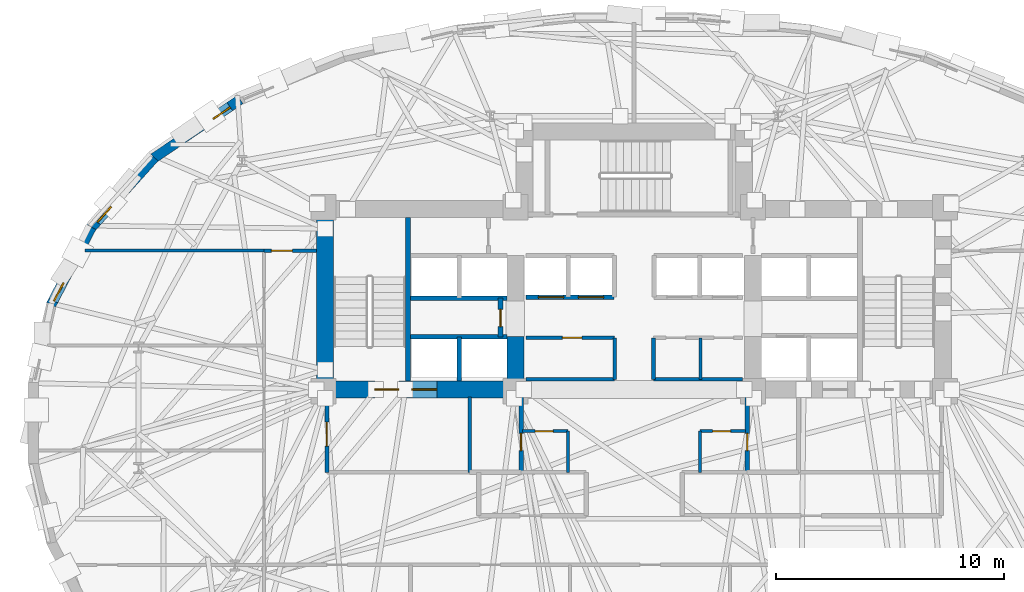
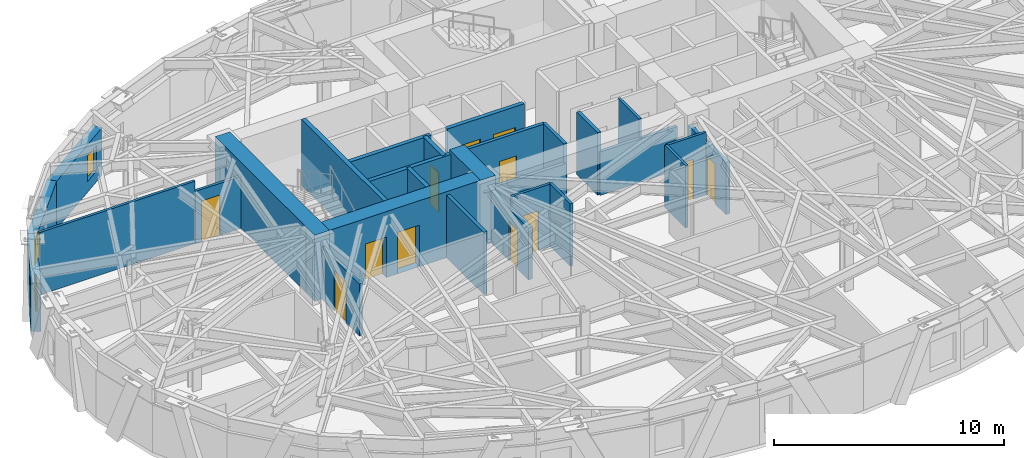
# One storey, part 7 of 14: 28 walls, 12 doors, 3 windows, 15 openings.
"""IFC4 building model written with IfcOpenShell, lengths in metres."""

from ifc_helpers import new_model, si_unit, direction, frame, frame_2d, origin, place, context, subcontext, project, spatial, rectangle, extrude, material, layer, layer_set, type_object, element, fill, save


model = new_model("IFC4")

# Units and contexts
model_context = context("Model", 3, precision=1e-05, world=origin(), true_north=direction((0.0, 1.0)))
body_context = subcontext(model_context, "Body", "Model", "MODEL_VIEW")
ifc_project = project(units=[si_unit("LENGTHUNIT", "METRE"), si_unit("AREAUNIT", "SQUARE_METRE"), si_unit("VOLUMEUNIT", "CUBIC_METRE"), si_unit("PLANEANGLEUNIT", "RADIAN"), si_unit("MASSUNIT", "GRAM", prefix="KILO")], contexts=[model_context])

# Site, building, storey
site_placement = place(None, origin())
site = spatial("IfcSite", under=ifc_project, at=site_placement, CompositionType="ELEMENT")
building_placement = place(site_placement, origin())
building = spatial("IfcBuilding", under=site, at=building_placement, Name="Keldmark Tower", CompositionType="ELEMENT")
storey_placement = place(building_placement, frame((0.0, 0.0, 117.60009765625)))
storey = spatial("IfcBuildingStorey", under=building, at=storey_placement, Name="L31", CompositionType="ELEMENT", Elevation=117.60009765625)

# Wall, opening, door
ifc_material_1 = material(Name="Acoustic Double-Layer Gypsum Corridor Partition", Category="gypsum")
ifc_layer_1 = layer(ifc_material_1, 0.139892578125)
ifc_layer_set_1 = layer_set([ifc_layer_1], Name="Acoustic Double-Layer Gypsum Corridor Partition")
wall_type_1 = type_object("IfcWallType", Name="Acoustic Corridor Partition 140 mm", PredefinedType="PARTITIONING", material=ifc_layer_set_1)
wall_1_placement = place(storey_placement, frame((-16.199951171875, 7.550048828125, 0.0), z_axis=(0.0, 0.0, 1.0), x_axis=(1.0, 0.0, 0.0)))
wall_1 = element("IfcWall", 1, at=wall_1_placement, inside=storey, type_object=wall_type_1, Name="L31 Acoustic Corridor Partition 140 mm COR-WN-CAP", PredefinedType="PARTITIONING", context=body_context, shape_type="SweptSolid", body=[
    extrude(rectangle(XDim=2.300048828125, YDim=0.139892578125, at=frame_2d((1.14990234375, 0.0))), origin(), (0.0, 0.0, 1.0), 2.762939453125),
])
opening_1_placement = place(wall_1_placement, frame((0.320068359375, 0.0, 0.0)))
opening_1 = element("IfcOpeningElement", 2, at=opening_1_placement, cuts=wall_1, Name="Opening D-EX092", PredefinedType="OPENING", context=body_context, shape_type="SweptSolid", body=[
    extrude(rectangle(XDim=0.919921875, YDim=2.14990234375, at=frame_2d((0.4599609375, 1.074951171875))), frame((0.0, 0.079833984375, 0.0), z_axis=(0.0, -1.0, 0.0), x_axis=(1.0, 0.0, 0.0)), (0.0, 0.0, 1.0), 0.159912109375),
])
ifc_material_2 = material(Name="Flush American Ash Executive Office Door", Category="wood")
door_type_1 = type_object("IfcDoorType", Name="Executive Office Door 920x2150", OperationType="NOTDEFINED", PredefinedType="DOOR", material=ifc_material_2)
door_1_placement = place(opening_1_placement, origin())
door_1 = element("IfcDoor", 3, at=door_1_placement, inside=storey, type_object=door_type_1, Name="L31 Executive Office Door 920x2150 D-NRNW-L31", OperationType="SINGLE_SWING_LEFT", OverallHeight=2.14990234375, OverallWidth=0.919921875, PredefinedType="DOOR", context=body_context, shape_type="SweptSolid", body=[
    extrude(rectangle(XDim=0.919921875, YDim=2.14990234375, at=frame_2d((0.4599609375, 1.074951171875))), frame((0.0, 0.02490234375, 0.0), z_axis=(0.0, -1.0, 0.0), x_axis=(1.0, 0.0, 0.0)), (0.0, 0.0, 1.0), 0.050048828125),
])
fill(opening_1, door_1)

ifc_material_3 = material(Name="Acoustic Gypsum Board Interior Partition", Category="gypsum")
ifc_layer_2 = layer(ifc_material_3, 0.1298828125)
ifc_layer_set_2 = layer_set([ifc_layer_2], Name="Acoustic Gypsum Board Interior Partition")
wall_type_2 = type_object("IfcWallType", Name="Interior Partition 130 mm", PredefinedType="PARTITIONING", material=ifc_layer_set_2)
wall_2_placement = place(storey_placement, frame((-4.8798828125, -0.35009765625, 0.0), z_axis=(0.0, 0.0, 1.0), x_axis=(1.0, 0.0, 0.0)))
wall_2 = element("IfcWall", 4, at=wall_2_placement, inside=storey, type_object=wall_type_2, Name="L31 Interior Partition 130 mm CSC-W-N", PredefinedType="PARTITIONING", context=body_context, shape_type="SweptSolid", body=[
    extrude(rectangle(XDim=1.989990234375, YDim=0.1298828125, at=frame_2d((0.9951171875, 0.0))), origin(), (0.0, 0.0, 1.0), 3.309814453125),
])
opening_2_placement = place(wall_2_placement, frame((0.550048828125, 0.0, 0.0)))
opening_2 = element("IfcOpeningElement", 5, at=opening_2_placement, cuts=wall_2, Name="Opening D-CL078", PredefinedType="OPENING", context=body_context, shape_type="SweptSolid", body=[
    extrude(rectangle(XDim=0.780029296875, YDim=2.10009765625, at=frame_2d((0.39013671875, 1.050048828125))), frame((0.0, 0.074951171875, 0.0), z_axis=(0.0, -1.0, 0.0), x_axis=(1.0, 0.0, 0.0)), (0.0, 0.0, 1.0), 0.14990234375),
])
ifc_material_4 = material(Name="Flush Utility Closet Timber Door", Category="wood")
door_type_2 = type_object("IfcDoorType", Name="Closet Door 780x2100", OperationType="NOTDEFINED", PredefinedType="DOOR", material=ifc_material_4)
door_2_placement = place(opening_2_placement, origin())
door_2 = element("IfcDoor", 6, at=door_2_placement, inside=storey, type_object=door_type_2, Name="L31 Closet Door 780x2100 D-CSCW1-L31", OperationType="SINGLE_SWING_LEFT", OverallHeight=2.10009765625, OverallWidth=0.780029296875, PredefinedType="DOOR", context=body_context, shape_type="SweptSolid", body=[
    extrude(rectangle(XDim=0.780029296875, YDim=2.10009765625, at=frame_2d((0.39013671875, 1.050048828125))), frame((0.0, 0.02490234375, 0.0), z_axis=(0.0, -1.0, 0.0), x_axis=(1.0, 0.0, 0.0)), (0.0, 0.0, 1.0), 0.050048828125),
])
fill(opening_2, door_2)

# Wall
wall_3_placement = place(storey_placement, frame((-2.889892578125, -2.14990234375, 0.0), z_axis=(0.0, 0.0, 1.0), x_axis=(0.0, 1.0, 0.0)))
element("IfcWall", 7, at=wall_3_placement, inside=storey, type_object=wall_type_2, Name="L31 Interior Partition 130 mm CSC-W-E", PredefinedType="PARTITIONING", context=body_context, shape_type="SweptSolid", body=[
    extrude(rectangle(XDim=1.7998046875, YDim=0.1298828125, at=frame_2d((0.89990234375, 0.0))), origin(), (0.0, 0.0, 1.0), 3.309814453125),
])

# Wall, opening, door
wall_4_placement = place(storey_placement, frame((2.889892578125, -0.35009765625, 0.0), z_axis=(0.0, 0.0, 1.0), x_axis=(1.0, 0.0, 0.0)))
wall_4 = element("IfcWall", 8, at=wall_4_placement, inside=storey, type_object=wall_type_2, Name="L31 Interior Partition 130 mm CSC-E-N", PredefinedType="PARTITIONING", context=body_context, shape_type="SweptSolid", body=[
    extrude(rectangle(XDim=1.989990234375, YDim=0.1298828125, at=frame_2d((0.9951171875, 0.0))), origin(), (0.0, 0.0, 1.0), 3.309814453125),
])
opening_3_placement = place(wall_4_placement, frame((0.550048828125, 0.0, 0.0)))
opening_3 = element("IfcOpeningElement", 9, at=opening_3_placement, cuts=wall_4, Name="Opening D-CL078", PredefinedType="OPENING", context=body_context, shape_type="SweptSolid", body=[
    extrude(rectangle(XDim=0.780029296875, YDim=2.10009765625, at=frame_2d((0.39013671875, 1.050048828125))), frame((0.0, 0.074951171875, 0.0), z_axis=(0.0, -1.0, 0.0), x_axis=(1.0, 0.0, 0.0)), (0.0, 0.0, 1.0), 0.14990234375),
])
door_3_placement = place(opening_3_placement, origin())
door_3 = element("IfcDoor", 10, at=door_3_placement, inside=storey, type_object=door_type_2, Name="L31 Closet Door 780x2100 D-CSCE1-L31", OperationType="SINGLE_SWING_RIGHT", OverallHeight=2.10009765625, OverallWidth=0.780029296875, PredefinedType="DOOR", context=body_context, shape_type="SweptSolid", body=[
    extrude(rectangle(XDim=0.780029296875, YDim=2.10009765625, at=frame_2d((0.39013671875, 1.050048828125))), frame((0.0, 0.02490234375, 0.0), z_axis=(0.0, -1.0, 0.0), x_axis=(1.0, 0.0, 0.0)), (0.0, 0.0, 1.0), 0.050048828125),
])
fill(opening_3, door_3)

# Walls
wall_5_placement = place(storey_placement, frame((2.889892578125, -2.14990234375, 0.0), z_axis=(0.0, 0.0, 1.0), x_axis=(0.0, 1.0, 0.0)))
element("IfcWall", 11, at=wall_5_placement, inside=storey, type_object=wall_type_2, Name="L31 Interior Partition 130 mm CSC-E-W", PredefinedType="PARTITIONING", context=body_context, shape_type="SweptSolid", body=[
    extrude(rectangle(XDim=1.7998046875, YDim=0.1298828125, at=frame_2d((0.89990234375, 0.0))), origin(), (0.0, 0.0, 1.0), 3.309814453125),
])
wall_6_placement = place(storey_placement, frame((2.89990234375, 1.919921875, 0.0), z_axis=(0.0, 0.0, 1.0), x_axis=(0.0, 1.0, 0.0)))
element("IfcWall", 12, at=wall_6_placement, inside=storey, type_object=wall_type_2, Name="L31 Interior Partition 130 mm REC-LE-M", PredefinedType="PARTITIONING", context=body_context, shape_type="SweptSolid", body=[
    extrude(rectangle(XDim=1.820068359375, YDim=0.1298828125, at=frame_2d((0.91015625, 0.0))), origin(), (0.0, 0.0, 1.0), 3.309814453125),
])
wall_7_placement = place(storey_placement, frame((-24.03369140625, 7.550048828125, 0.0), z_axis=(0.0, 0.0, 1.0), x_axis=(1.0, 0.0, 0.0)))
element("IfcWall", 13, at=wall_7_placement, inside=storey, type_object=wall_type_2, Name="L31 Interior Partition 130 mm W-CAP-N", PredefinedType="PARTITIONING", context=body_context, shape_type="SweptSolid", body=[
    extrude(rectangle(XDim=7.833740234375, YDim=0.1298828125, at=frame_2d((3.9169921875, 0.0))), origin(), (0.0, 0.0, 1.0), 3.309814453125),
])
ifc_material_5 = material(Name="Concrete C70/85", Category="concrete")
ifc_layer_3 = layer(ifc_material_5, 0.75)
ifc_layer_set_3 = layer_set([ifc_layer_3], Name="Concrete C70/85")
wall_type_3 = type_object("IfcWallType", Name="Low-Mid Core Shear Wall 750 mm", PredefinedType="SHEAR", material=ifc_layer_set_3)
wall_8_placement = place(storey_placement, frame((-13.52490234375, 1.10009765625, 0.0), z_axis=(0.0, 0.0, 1.0), x_axis=(0.0, 1.0, 0.0)))
element("IfcWall", 14, at=wall_8_placement, inside=storey, type_object=wall_type_3, Name="L31 West Core Outer Shear Wall", PredefinedType="SHEAR", context=body_context, shape_type="SweptSolid", body=[
    extrude(rectangle(XDim=8.64990234375, YDim=0.75, at=frame_2d((4.324951171875, 0.0))), origin(), (0.0, 0.0, 1.0), 3.5),
])

# Wall, openings, doors
wall_9_placement = place(storey_placement, frame((-4.824951171875, 1.47509765625, 0.0), z_axis=(0.0, 0.0, 1.0), x_axis=(-1.0, 0.0, 0.0)))
wall_9 = element("IfcWall", 15, at=wall_9_placement, inside=storey, type_object=wall_type_3, Name="L31 West Core South Shear Wall", PredefinedType="SHEAR", context=body_context, shape_type="SweptSolid", body=[
    extrude(rectangle(XDim=9.074951171875, YDim=0.75, at=frame_2d((4.53759765625, 0.0))), origin(), (0.0, 0.0, 1.0), 3.5),
])
opening_4_placement = place(wall_9_placement, frame((5.47509765625, 0.0, 0.0)))
opening_4 = element("IfcOpeningElement", 16, at=opening_4_placement, cuts=wall_9, Name="Opening D-ST105", PredefinedType="OPENING", context=body_context, shape_type="SweptSolid", body=[
    extrude(rectangle(XDim=1.050048828125, YDim=2.14990234375, at=frame_2d((0.52490234375, 1.074951171875))), frame((0.0, 0.385009765625, 0.0), z_axis=(0.0, -1.0, 0.0), x_axis=(1.0, 0.0, 0.0)), (0.0, 0.0, 1.0), 0.77001953125),
])
opening_5_placement = place(wall_9_placement, frame((3.804931640625, 0.0, 0.0)))
opening_5 = element("IfcOpeningElement", 17, at=opening_5_placement, cuts=wall_9, Name="Opening LD-110", PredefinedType="OPENING", context=body_context, shape_type="SweptSolid", body=[
    extrude(rectangle(XDim=1.10009765625, YDim=2.199951171875, at=frame_2d((0.550048828125, 1.10009765625))), frame((0.0, 0.385009765625, 0.0), z_axis=(0.0, -1.0, 0.0), x_axis=(1.0, 0.0, 0.0)), (0.0, 0.0, 1.0), 0.77001953125),
])
ifc_material_6 = material(Name="Brushed Bronze Hoistway Sliding Leaf", Category="metal")
door_type_3 = type_object("IfcDoorType", Name="Lift Landing Sliding Door 1100x2200", OperationType="SLIDING_TO_LEFT", PredefinedType="DOOR", material=ifc_material_6)
door_4_placement = place(opening_5_placement, origin())
door_4 = element("IfcDoor", 18, at=door_4_placement, inside=storey, type_object=door_type_3, Name="L31 Lift Landing Sliding Door 1100x2200 LD-EL-FS1-L31", OperationType="SLIDING_TO_LEFT", OverallHeight=2.199951171875, OverallWidth=1.10009765625, PredefinedType="DOOR", context=body_context, shape_type="SweptSolid", body=[
    extrude(rectangle(XDim=1.10009765625, YDim=2.199951171875, at=frame_2d((0.550048828125, 1.10009765625))), frame((0.0, 0.02490234375, 0.0), z_axis=(0.0, -1.0, 0.0), x_axis=(1.0, 0.0, 0.0)), (0.0, 0.0, 1.0), 0.050048828125),
])
fill(opening_5, door_4)
ifc_material_7 = material(Name="Hollow Metal Fire-Rated Door Assembly", Category="metal")
door_type_4 = type_object("IfcDoorType", Name="Stair Fire Door 1050x2150", OperationType="NOTDEFINED", PredefinedType="DOOR", material=ifc_material_7)
door_5_placement = place(opening_4_placement, origin())
door_5 = element("IfcDoor", 19, at=door_5_placement, inside=storey, type_object=door_type_4, Name="L31 Stair Fire Door 1050x2150 D-ST1-L31", OperationType="SINGLE_SWING_RIGHT", OverallHeight=2.14990234375, OverallWidth=1.050048828125, PredefinedType="DOOR", context=body_context, shape_type="SweptSolid", body=[
    extrude(rectangle(XDim=1.050048828125, YDim=2.14990234375, at=frame_2d((0.52490234375, 1.074951171875))), frame((0.0, 0.02490234375, 0.0), z_axis=(0.0, -1.0, 0.0), x_axis=(1.0, 0.0, 0.0)), (0.0, 0.0, 1.0), 0.050048828125),
])
fill(opening_4, door_5)

# Wall
wall_10_placement = place(storey_placement, frame((-5.199951171875, 1.10009765625, 0.0), z_axis=(0.0, 0.0, 1.0), x_axis=(0.0, 1.0, 0.0)))
element("IfcWall", 20, at=wall_10_placement, inside=storey, type_object=wall_type_3, Name="L31 West Core Inner Shear Pier South", PredefinedType="SHEAR", context=body_context, shape_type="SweptSolid", body=[
    extrude(rectangle(XDim=2.699951171875, YDim=0.75, at=frame_2d((1.35009765625, 0.0))), origin(), (0.0, 0.0, 1.0), 3.5),
])

# Wall, opening, door
ifc_material_8 = material(Name="Type X Fire-Rated Gypsum Partition Assembly", Category="gypsum")
ifc_layer_4 = layer(ifc_material_8, 0.1650390625)
ifc_layer_set_4 = layer_set([ifc_layer_4], Name="Type X Fire-Rated Gypsum Partition Assembly")
wall_type_4 = type_object("IfcWallType", Name="Rated Partition 165 mm", PredefinedType="PARTITIONING", material=ifc_layer_set_4)
wall_11_placement = place(storey_placement, frame((-13.449951171875, -2.14990234375, 0.0), z_axis=(0.0, 0.0, 1.0), x_axis=(0.0, 1.0, 0.0)))
wall_11 = element("IfcWall", 21, at=wall_11_placement, inside=storey, type_object=wall_type_4, Name="L31 Rated Partition 165 mm FSAE-W-W", PredefinedType="PARTITIONING", context=body_context, shape_type="SweptSolid", body=[
    extrude(rectangle(XDim=3.2998046875, YDim=0.1650390625, at=frame_2d((1.64990234375, 0.0))), origin(), (0.0, 0.0, 1.0), 2.762939453125),
])
opening_6_placement = place(wall_11_placement, frame((1.14990234375, 0.0, 0.0)))
opening_6 = element("IfcOpeningElement", 22, at=opening_6_placement, cuts=wall_11, Name="Opening D-FL105", PredefinedType="OPENING", context=body_context, shape_type="SweptSolid", body=[
    extrude(rectangle(XDim=1.050048828125, YDim=2.14990234375, at=frame_2d((0.52490234375, 1.074951171875))), frame((0.0, 0.092529296875, 0.0), z_axis=(0.0, -1.0, 0.0), x_axis=(1.0, 0.0, 0.0)), (0.0, 0.0, 1.0), 0.18505859375),
])
ifc_material_9 = material(Name="Fire-Rated Mineral-Core Door and Vision Lite", Category="metal")
door_type_5 = type_object("IfcDoorType", Name="Fire Lobby Door 1050x2150", OperationType="NOTDEFINED", PredefinedType="DOOR", material=ifc_material_9)
door_6_placement = place(opening_6_placement, origin())
door_6 = element("IfcDoor", 23, at=door_6_placement, inside=storey, type_object=door_type_5, Name="L31 Fire Lobby Door 1050x2150 D-FSAEW-OUT-L31", OperationType="SINGLE_SWING_LEFT", OverallHeight=2.14990234375, OverallWidth=1.050048828125, PredefinedType="DOOR", context=body_context, shape_type="SweptSolid", body=[
    extrude(rectangle(XDim=1.050048828125, YDim=2.14990234375, at=frame_2d((0.52490234375, 1.074951171875))), frame((0.0, 0.02490234375, 0.0), z_axis=(0.0, -1.0, 0.0), x_axis=(1.0, 0.0, 0.0)), (0.0, 0.0, 1.0), 0.050048828125),
])
fill(opening_6, door_6)

# Walls
wall_12_placement = place(storey_placement, frame((-7.199951171875, -2.14990234375, 0.0), z_axis=(0.0, 0.0, 1.0), x_axis=(0.0, 1.0, 0.0)))
element("IfcWall", 24, at=wall_12_placement, inside=storey, type_object=wall_type_4, Name="L31 Rated Partition 165 mm FSAE-W-E", PredefinedType="PARTITIONING", context=body_context, shape_type="SweptSolid", body=[
    extrude(rectangle(XDim=3.2998046875, YDim=0.1650390625, at=frame_2d((1.64990234375, 0.0))), origin(), (0.0, 0.0, 1.0), 3.309814453125),
])
wall_13_placement = place(storey_placement, frame((-4.739990234375, 1.919921875, 0.0), z_axis=(0.0, 0.0, 1.0), x_axis=(1.0, 0.0, 0.0)))
element("IfcWall", 25, at=wall_13_placement, inside=storey, type_object=wall_type_4, Name="L31 Rated Partition 165 mm REC-LW-S", PredefinedType="PARTITIONING", context=body_context, shape_type="SweptSolid", body=[
    extrude(rectangle(XDim=3.889892578125, YDim=0.1650390625, at=frame_2d((1.94482421875, 0.0))), origin(), (0.0, 0.0, 1.0), 2.2998046875),
])

# Wall, opening, door
wall_14_placement = place(storey_placement, frame((-4.739990234375, 3.739990234375, 0.0), z_axis=(0.0, 0.0, 1.0), x_axis=(1.0, 0.0, 0.0)))
wall_14 = element("IfcWall", 26, at=wall_14_placement, inside=storey, type_object=wall_type_4, Name="L31 Rated Partition 165 mm REC-LW-N", PredefinedType="PARTITIONING", context=body_context, shape_type="SweptSolid", body=[
    extrude(rectangle(XDim=3.889892578125, YDim=0.1650390625, at=frame_2d((1.94482421875, 0.0))), origin(), (0.0, 0.0, 1.0), 3.309814453125),
])
opening_7_placement = place(wall_14_placement, frame((1.60009765625, 0.0, 0.0)))
opening_7 = element("IfcOpeningElement", 27, at=opening_7_placement, cuts=wall_14, Name="Opening D-SV085", PredefinedType="OPENING", context=body_context, shape_type="SweptSolid", body=[
    extrude(rectangle(XDim=0.85009765625, YDim=2.10009765625, at=frame_2d((0.425048828125, 1.050048828125))), frame((0.0, 0.092529296875, 0.0), z_axis=(0.0, -1.0, 0.0), x_axis=(1.0, 0.0, 0.0)), (0.0, 0.0, 1.0), 0.18505859375),
])
ifc_material_10 = material(Name="Painted Hollow Metal Door Assembly", Category="metal")
door_type_6 = type_object("IfcDoorType", Name="Service Door 850x2100", OperationType="NOTDEFINED", PredefinedType="DOOR", material=ifc_material_10)
door_7_placement = place(opening_7_placement, origin())
door_7 = element("IfcDoor", 28, at=door_7_placement, inside=storey, type_object=door_type_6, Name="L31 Service Door 850x2100 D-RECLW1-L31", OperationType="SINGLE_SWING_LEFT", OverallHeight=2.10009765625, OverallWidth=0.85009765625, PredefinedType="DOOR", context=body_context, shape_type="SweptSolid", body=[
    extrude(rectangle(XDim=0.85009765625, YDim=2.10009765625, at=frame_2d((0.425048828125, 1.050048828125))), frame((0.0, 0.02490234375, 0.0), z_axis=(0.0, -1.0, 0.0), x_axis=(1.0, 0.0, 0.0)), (0.0, 0.0, 1.0), 0.050048828125),
])
fill(opening_7, door_7)

# Walls
wall_15_placement = place(storey_placement, frame((-0.85009765625, 1.919921875, 0.0), z_axis=(0.0, 0.0, 1.0), x_axis=(0.0, 1.0, 0.0)))
element("IfcWall", 29, at=wall_15_placement, inside=storey, type_object=wall_type_4, Name="L31 Rated Partition 165 mm REC-LW-E", PredefinedType="PARTITIONING", context=body_context, shape_type="SweptSolid", body=[
    extrude(rectangle(XDim=1.820068359375, YDim=0.1650390625, at=frame_2d((0.91015625, 0.0))), origin(), (0.0, 0.0, 1.0), 3.309814453125),
])
wall_16_placement = place(storey_placement, frame((0.85009765625, 1.919921875, 0.0), z_axis=(0.0, 0.0, 1.0), x_axis=(1.0, 0.0, 0.0)))
element("IfcWall", 30, at=wall_16_placement, inside=storey, type_object=wall_type_4, Name="L31 Rated Partition 165 mm REC-LE-S", PredefinedType="PARTITIONING", context=body_context, shape_type="SweptSolid", body=[
    extrude(rectangle(XDim=3.889892578125, YDim=0.1650390625, at=frame_2d((1.94482421875, 0.0))), origin(), (0.0, 0.0, 1.0), 2.2998046875),
])
wall_17_placement = place(storey_placement, frame((0.85009765625, 1.919921875, 0.0), z_axis=(0.0, 0.0, 1.0), x_axis=(0.0, 1.0, 0.0)))
element("IfcWall", 31, at=wall_17_placement, inside=storey, type_object=wall_type_4, Name="L31 Rated Partition 165 mm REC-LE-W", PredefinedType="PARTITIONING", context=body_context, shape_type="SweptSolid", body=[
    extrude(rectangle(XDim=1.820068359375, YDim=0.1650390625, at=frame_2d((0.91015625, 0.0))), origin(), (0.0, 0.0, 1.0), 3.309814453125),
])

# Wall, opening, door
ifc_material_11 = material(Name="Fire-Resistant Type X Gypsum Shaftliner Coreboard", Category="gypsum")
ifc_layer_5 = layer(ifc_material_11, 0.199951171875)
ifc_layer_set_5 = layer_set([ifc_layer_5], Name="Fire-Resistant Type X Gypsum Shaftliner Coreboard")
wall_type_5 = type_object("IfcWallType", Name="Shaft Wall 200 mm", PredefinedType="SOLIDWALL", material=ifc_layer_set_5)
wall_18_placement = place(storey_placement, frame((-4.949951171875, -2.14990234375, 0.0), z_axis=(0.0, 0.0, 1.0), x_axis=(0.0, 1.0, 0.0)))
wall_18 = element("IfcWall", 32, at=wall_18_placement, inside=storey, type_object=wall_type_5, Name="L31 Shaft Wall 200 mm RIS-SW-E", PredefinedType="SOLIDWALL", context=body_context, shape_type="SweptSolid", body=[
    extrude(rectangle(XDim=3.2998046875, YDim=0.199951171875, at=frame_2d((1.64990234375, 0.0))), origin(), (0.0, 0.0, 1.0), 2.762939453125),
])
opening_8_placement = place(wall_18_placement, frame((0.949951171875, 0.0, 0.0)))
opening_8 = element("IfcOpeningElement", 33, at=opening_8_placement, cuts=wall_18, Name="Opening D-RS075", PredefinedType="OPENING", context=body_context, shape_type="SweptSolid", body=[
    extrude(rectangle(XDim=0.75, YDim=2.10009765625, at=frame_2d((0.375, 1.050048828125))), frame((0.0, 0.10986328125, 0.0), z_axis=(0.0, -1.0, 0.0), x_axis=(1.0, 0.0, 0.0)), (0.0, 0.0, 1.0), 0.219970703125),
])
ifc_material_12 = material(Name="Galvanized Fire-Rated Access Leaf", Category="metal")
door_type_7 = type_object("IfcDoorType", Name="Riser Access Door 750x2100", OperationType="NOTDEFINED", PredefinedType="DOOR", material=ifc_material_12)
door_8_placement = place(opening_8_placement, origin())
door_8 = element("IfcDoor", 34, at=door_8_placement, inside=storey, type_object=door_type_7, Name="L31 Riser Access Door 750x2100 D-RISSW-L31", OperationType="SINGLE_SWING_RIGHT", OverallHeight=2.10009765625, OverallWidth=0.75, PredefinedType="DOOR", context=body_context, shape_type="SweptSolid", body=[
    extrude(rectangle(XDim=0.75, YDim=2.10009765625, at=frame_2d((0.375, 1.050048828125))), frame((0.0, 0.02490234375, 0.0), z_axis=(0.0, -1.0, 0.0), x_axis=(1.0, 0.0, 0.0)), (0.0, 0.0, 1.0), 0.050048828125),
])
fill(opening_8, door_8)

wall_19_placement = place(storey_placement, frame((4.949951171875, -2.14990234375, 0.0), z_axis=(0.0, 0.0, 1.0), x_axis=(0.0, 1.0, 0.0)))
wall_19 = element("IfcWall", 35, at=wall_19_placement, inside=storey, type_object=wall_type_5, Name="L31 Shaft Wall 200 mm RIS-SE-W", PredefinedType="SOLIDWALL", context=body_context, shape_type="SweptSolid", body=[
    extrude(rectangle(XDim=3.2998046875, YDim=0.199951171875, at=frame_2d((1.64990234375, 0.0))), origin(), (0.0, 0.0, 1.0), 2.762939453125),
])
opening_9_placement = place(wall_19_placement, frame((0.949951171875, 0.0, 0.0)))
opening_9 = element("IfcOpeningElement", 36, at=opening_9_placement, cuts=wall_19, Name="Opening D-RS075", PredefinedType="OPENING", context=body_context, shape_type="SweptSolid", body=[
    extrude(rectangle(XDim=0.75, YDim=2.10009765625, at=frame_2d((0.375, 1.050048828125))), frame((0.0, 0.10986328125, 0.0), z_axis=(0.0, -1.0, 0.0), x_axis=(1.0, 0.0, 0.0)), (0.0, 0.0, 1.0), 0.219970703125),
])
door_9_placement = place(opening_9_placement, origin())
door_9 = element("IfcDoor", 37, at=door_9_placement, inside=storey, type_object=door_type_7, Name="L31 Riser Access Door 750x2100 D-RISSE-L31", OperationType="SINGLE_SWING_LEFT", OverallHeight=2.10009765625, OverallWidth=0.75, PredefinedType="DOOR", context=body_context, shape_type="SweptSolid", body=[
    extrude(rectangle(XDim=0.75, YDim=2.10009765625, at=frame_2d((0.375, 1.050048828125))), frame((0.0, 0.02490234375, 0.0), z_axis=(0.0, -1.0, 0.0), x_axis=(1.0, 0.0, 0.0)), (0.0, 0.0, 1.0), 0.050048828125),
])
fill(opening_9, door_9)

# Walls
wall_20_placement = place(storey_placement, frame((-9.780029296875, 3.780029296875, 0.0), z_axis=(0.0, 0.0, 1.0), x_axis=(1.0, 0.0, 0.0)))
element("IfcWall", 38, at=wall_20_placement, inside=storey, type_object=wall_type_5, Name="L31 Shaft Wall 200 mm HW-W-S", PredefinedType="SOLIDWALL", context=body_context, shape_type="SweptSolid", body=[
    extrude(rectangle(XDim=4.205078125, YDim=0.199951171875, at=frame_2d((2.1025390625, 0.0))), origin(), (0.0, 0.0, 1.0), 3.309814453125),
])
wall_21_placement = place(storey_placement, frame((-7.64990234375, 1.85009765625, 0.0), z_axis=(0.0, 0.0, 1.0), x_axis=(0.0, 1.0, 0.0)))
element("IfcWall", 39, at=wall_21_placement, inside=storey, type_object=wall_type_5, Name="L31 Shaft Wall 200 mm HW-W-M", PredefinedType="SOLIDWALL", context=body_context, shape_type="SweptSolid", body=[
    extrude(rectangle(XDim=1.929931640625, YDim=0.199951171875, at=frame_2d((0.96484375, 0.0))), origin(), (0.0, 0.0, 1.0), 3.309814453125),
])
wall_22_placement = place(storey_placement, frame((-9.780029296875, 5.469970703125, 0.0), z_axis=(0.0, 0.0, 1.0), x_axis=(1.0, 0.0, 0.0)))
element("IfcWall", 40, at=wall_22_placement, inside=storey, type_object=wall_type_5, Name="L31 Shaft Wall 200 mm HW-W-N", PredefinedType="SOLIDWALL", context=body_context, shape_type="SweptSolid", body=[
    extrude(rectangle(XDim=4.205078125, YDim=0.199951171875, at=frame_2d((2.1025390625, 0.0))), origin(), (0.0, 0.0, 1.0), 3.309814453125),
])

# Wall, opening, door
wall_23_placement = place(storey_placement, frame((-5.85009765625, 3.780029296875, 0.0), z_axis=(0.0, 0.0, 1.0), x_axis=(0.0, 1.0, 0.0)))
wall_23 = element("IfcWall", 41, at=wall_23_placement, inside=storey, type_object=wall_type_5, Name="L31 Shaft Wall 200 mm HW-W-CLOSE", PredefinedType="SOLIDWALL", context=body_context, shape_type="SweptSolid", body=[
    extrude(rectangle(XDim=1.68994140625, YDim=0.199951171875, at=frame_2d((0.844970703125, 0.0))), origin(), (0.0, 0.0, 1.0), 3.309814453125),
])
opening_10_placement = place(wall_23_placement, frame((0.449951171875, 0.0, 0.0)))
opening_10 = element("IfcOpeningElement", 42, at=opening_10_placement, cuts=wall_23, Name="Opening D-RS075", PredefinedType="OPENING", context=body_context, shape_type="SweptSolid", body=[
    extrude(rectangle(XDim=0.75, YDim=2.10009765625, at=frame_2d((0.375, 1.050048828125))), frame((0.0, 0.10986328125, 0.0), z_axis=(0.0, -1.0, 0.0), x_axis=(1.0, 0.0, 0.0)), (0.0, 0.0, 1.0), 0.219970703125),
])
door_10_placement = place(opening_10_placement, origin())
door_10 = element("IfcDoor", 43, at=door_10_placement, inside=storey, type_object=door_type_7, Name="L31 Riser Access Door 750x2100 D-RISHW-L31", OperationType="SINGLE_SWING_RIGHT", OverallHeight=2.10009765625, OverallWidth=0.75, PredefinedType="DOOR", context=body_context, shape_type="SweptSolid", body=[
    extrude(rectangle(XDim=0.75, YDim=2.10009765625, at=frame_2d((0.375, 1.050048828125))), frame((0.0, 0.02490234375, 0.0), z_axis=(0.0, -1.0, 0.0), x_axis=(1.0, 0.0, 0.0)), (0.0, 0.0, 1.0), 0.050048828125),
])
fill(opening_10, door_10)

# Wall, openings, doors
wall_24_placement = place(storey_placement, frame((-4.739990234375, 5.52001953125, 0.0), z_axis=(0.0, 0.0, 1.0), x_axis=(1.0, 0.0, 0.0)))
wall_24 = element("IfcWall", 44, at=wall_24_placement, inside=storey, type_object=wall_type_5, Name="L31 Shaft Wall 200 mm MID-S-W", PredefinedType="SOLIDWALL", context=body_context, shape_type="SweptSolid", body=[
    extrude(rectangle(XDim=3.860107421875, YDim=0.199951171875, at=frame_2d((1.93017578125, 0.0))), origin(), (0.0, 0.0, 1.0), 3.309814453125),
])
opening_11_placement = place(wall_24_placement, frame((0.550048828125, 0.0, 0.0)))
opening_11 = element("IfcOpeningElement", 45, at=opening_11_placement, cuts=wall_24, Name="Opening LD-110", PredefinedType="OPENING", context=body_context, shape_type="SweptSolid", body=[
    extrude(rectangle(XDim=1.10009765625, YDim=2.199951171875, at=frame_2d((0.550048828125, 1.10009765625))), frame((0.0, 0.10986328125, 0.0), z_axis=(0.0, -1.0, 0.0), x_axis=(1.0, 0.0, 0.0)), (0.0, 0.0, 1.0), 0.219970703125),
])
opening_12_placement = place(wall_24_placement, frame((2.300048828125, 0.0, 0.0)))
opening_12 = element("IfcOpeningElement", 46, at=opening_12_placement, cuts=wall_24, Name="Opening LD-110", PredefinedType="OPENING", context=body_context, shape_type="SweptSolid", body=[
    extrude(rectangle(XDim=1.10009765625, YDim=2.199951171875, at=frame_2d((0.550048828125, 1.10009765625))), frame((0.0, 0.10986328125, 0.0), z_axis=(0.0, -1.0, 0.0), x_axis=(1.0, 0.0, 0.0)), (0.0, 0.0, 1.0), 0.219970703125),
])
door_11_placement = place(opening_11_placement, origin())
door_11 = element("IfcDoor", 47, at=door_11_placement, inside=storey, type_object=door_type_3, Name="L31 Lift Landing Sliding Door 1100x2200 LD-EL-M1-L31", OperationType="SLIDING_TO_LEFT", OverallHeight=2.199951171875, OverallWidth=1.10009765625, PredefinedType="DOOR", context=body_context, shape_type="SweptSolid", body=[
    extrude(rectangle(XDim=1.10009765625, YDim=2.199951171875, at=frame_2d((0.550048828125, 1.10009765625))), frame((0.0, 0.02490234375, 0.0), z_axis=(0.0, -1.0, 0.0), x_axis=(1.0, 0.0, 0.0)), (0.0, 0.0, 1.0), 0.050048828125),
])
fill(opening_11, door_11)
door_12_placement = place(opening_12_placement, origin())
door_12 = element("IfcDoor", 48, at=door_12_placement, inside=storey, type_object=door_type_3, Name="L31 Lift Landing Sliding Door 1100x2200 LD-EL-M2-L31", OperationType="SLIDING_TO_LEFT", OverallHeight=2.199951171875, OverallWidth=1.10009765625, PredefinedType="DOOR", context=body_context, shape_type="SweptSolid", body=[
    extrude(rectangle(XDim=1.10009765625, YDim=2.199951171875, at=frame_2d((0.550048828125, 1.10009765625))), frame((0.0, 0.02490234375, 0.0), z_axis=(0.0, -1.0, 0.0), x_axis=(1.0, 0.0, 0.0)), (0.0, 0.0, 1.0), 0.050048828125),
])
fill(opening_12, door_12)

# Wall
ifc_material_13 = material(Name="Concrete C50/60", Category="concrete")
ifc_layer_6 = layer(ifc_material_13, 0.219970703125)
ifc_layer_set_6 = layer_set([ifc_layer_6], Name="Concrete C50/60")
wall_type_6 = type_object("IfcWallType", Name="Stair Core Shear Wall 220 mm", PredefinedType="SHEAR", material=ifc_layer_set_6)
wall_25_placement = place(storey_placement, frame((-9.889892578125, 1.85009765625, 0.0), z_axis=(0.0, 0.0, 1.0), x_axis=(0.0, 1.0, 0.0)))
element("IfcWall", 49, at=wall_25_placement, inside=storey, type_object=wall_type_6, Name="L31 West Stair Core Shear Wall", PredefinedType="SHEAR", context=body_context, shape_type="SweptSolid", body=[
    extrude(rectangle(XDim=7.14990234375, YDim=0.219970703125, at=frame_2d((3.574951171875, 0.0))), origin(), (0.0, 0.0, 1.0), 3.5),
])

# Wall, opening, window
ifc_material_14 = material(Name="Ironspot Manganese Brick and Kasota Buff Limestone Spandrel Assembly", Category="masonry")
ifc_layer_7 = layer(ifc_material_14, 0.43994140625)
ifc_layer_set_7 = layer_set([ifc_layer_7], Name="Ironspot Manganese Brick and Kasota Buff Limestone Spandrel Assembly")
wall_type_7 = type_object("IfcWallType", Name="Tower Brick Pier and Spandrel Wall 440 mm", PredefinedType="STANDARD", material=ifc_layer_set_7)
wall_26_placement = place(storey_placement, frame((-21.0419921875, 11.593994140625, 0.0), z_axis=(0.0, 0.0, 1.0), x_axis=(0.827700115196, 0.561170668607, 0.0)))
wall_26 = element("IfcWall", 50, at=wall_26_placement, inside=storey, type_object=wall_type_7, Name="L31 Exterior Brick and Spandrel Wall 12", PredefinedType="STANDARD", context=body_context, shape_type="SweptSolid", body=[
    extrude(rectangle(XDim=4.58544921875, YDim=0.43994140625, at=frame_2d((2.292724609375, 0.0))), origin(), (0.0, 0.0, 1.0), 2.52783203125),
])
opening_13_placement = place(wall_26_placement, frame((3.136962890625, 0.0, 0.580078125)))
opening_13 = element("IfcOpeningElement", 51, at=opening_13_placement, cuts=wall_26, Name="Opening W-09", PredefinedType="OPENING", context=body_context, shape_type="SweptSolid", body=[
    extrude(rectangle(XDim=0.89990234375, YDim=1.35009765625, at=frame_2d((0.449951171875, 0.675048828125))), frame((0.0, 0.22998046875, 0.0), z_axis=(0.0, -1.0, 0.0), x_axis=(1.0, 0.0, 0.0)), (0.0, 0.0, 1.0), 0.4599609375),
])
ifc_material_15 = material(Name="Thermally Broken Anodized Aluminum and Triple Low-E Argon Glazing", Category="aluminium")
window_type = type_object("IfcWindowType", Name="Corner Pier Deep-Set Window 900x1350", PartitioningType="SINGLE_PANEL", PredefinedType="WINDOW", material=ifc_material_15)
window_1_placement = place(opening_13_placement, origin())
window_1 = element("IfcWindow", 52, at=window_1_placement, inside=storey, type_object=window_type, Name="L31 Deep-Set Window 12", OverallHeight=1.35009765625, OverallWidth=0.89990234375, PartitioningType="SINGLE_PANEL", PredefinedType="WINDOW", context=body_context, shape_type="SweptSolid", body=[
    extrude(rectangle(XDim=0.89990234375, YDim=1.35009765625, at=frame_2d((0.449951171875, 0.675048828125))), frame((0.0, -0.010009765625, 0.0), z_axis=(0.0, -1.0, 0.0), x_axis=(1.0, 0.0, 0.0)), (0.0, 0.0, 1.0), 0.06005859375),
])
fill(opening_13, window_1)

wall_27_placement = place(storey_placement, frame((-23.787353515625, 8.5322265625, 0.0), z_axis=(0.0, 0.0, 1.0), x_axis=(0.668754222456, 0.743483550556, 0.0)))
wall_27 = element("IfcWall", 53, at=wall_27_placement, inside=storey, type_object=wall_type_7, Name="L31 Exterior Brick and Spandrel Wall 13", PredefinedType="STANDARD", context=body_context, shape_type="SweptSolid", body=[
    extrude(rectangle(XDim=4.16552734375, YDim=0.43994140625, at=frame_2d((2.082763671875, 0.0))), origin(), (0.0, 0.0, 1.0), 2.52783203125),
])
opening_14_placement = place(wall_27_placement, frame((0.397705078125, 0.0, 0.580078125)))
opening_14 = element("IfcOpeningElement", 54, at=opening_14_placement, cuts=wall_27, Name="Opening W-09", PredefinedType="OPENING", context=body_context, shape_type="SweptSolid", body=[
    extrude(rectangle(XDim=0.89990234375, YDim=1.35009765625, at=frame_2d((0.449951171875, 0.675048828125))), frame((0.0, 0.22998046875, 0.0), z_axis=(0.0, -1.0, 0.0), x_axis=(1.0, 0.0, 0.0)), (0.0, 0.0, 1.0), 0.4599609375),
])
window_2_placement = place(opening_14_placement, origin())
window_2 = element("IfcWindow", 55, at=window_2_placement, inside=storey, type_object=window_type, Name="L31 Deep-Set Window 13", OverallHeight=1.35009765625, OverallWidth=0.89990234375, PartitioningType="SINGLE_PANEL", PredefinedType="WINDOW", context=body_context, shape_type="SweptSolid", body=[
    extrude(rectangle(XDim=0.89990234375, YDim=1.35009765625, at=frame_2d((0.449951171875, 0.675048828125))), frame((0.0, -0.010009765625, 0.0), z_axis=(0.0, -1.0, 0.0), x_axis=(1.0, 0.0, 0.0)), (0.0, 0.0, 1.0), 0.06005859375),
])
fill(opening_14, window_2)

wall_28_placement = place(storey_placement, frame((-25.52099609375, 5.18701171875, 0.0), z_axis=(0.0, 0.0, 1.0), x_axis=(0.461766944701, 0.88700129018, 0.0)))
wall_28 = element("IfcWall", 56, at=wall_28_placement, inside=storey, type_object=wall_type_7, Name="L31 Exterior Brick and Spandrel Wall 14", PredefinedType="STANDARD", context=body_context, shape_type="SweptSolid", body=[
    extrude(rectangle(XDim=3.822509765625, YDim=0.43994140625, at=frame_2d((1.9111328125, 0.0))), origin(), (0.0, 0.0, 1.0), 2.52783203125),
])
opening_15_placement = place(wall_28_placement, frame((0.199951171875, 0.0, 0.919921875)))
opening_15 = element("IfcOpeningElement", 57, at=opening_15_placement, cuts=wall_28, Name="Opening W-09", PredefinedType="OPENING", context=body_context, shape_type="SweptSolid", body=[
    extrude(rectangle(XDim=0.89990234375, YDim=1.35009765625, at=frame_2d((0.449951171875, 0.675048828125))), frame((0.0, 0.22998046875, 0.0), z_axis=(0.0, -1.0, 0.0), x_axis=(1.0, 0.0, 0.0)), (0.0, 0.0, 1.0), 0.4599609375),
])
window_3_placement = place(opening_15_placement, origin())
window_3 = element("IfcWindow", 58, at=window_3_placement, inside=storey, type_object=window_type, Name="L31 Deep-Set Window 14", OverallHeight=1.35009765625, OverallWidth=0.89990234375, PartitioningType="SINGLE_PANEL", PredefinedType="WINDOW", context=body_context, shape_type="SweptSolid", body=[
    extrude(rectangle(XDim=0.89990234375, YDim=1.35009765625, at=frame_2d((0.449951171875, 0.675048828125))), frame((0.0, -0.010009765625, 0.0), z_axis=(0.0, -1.0, 0.0), x_axis=(1.0, 0.0, 0.0)), (0.0, 0.0, 1.0), 0.06005859375),
])
fill(opening_15, window_3)

save(model, "model.ifc")
